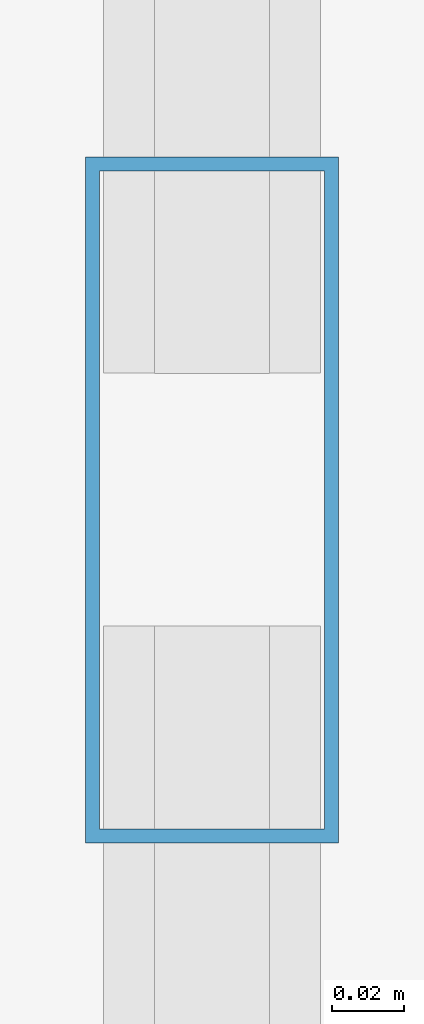
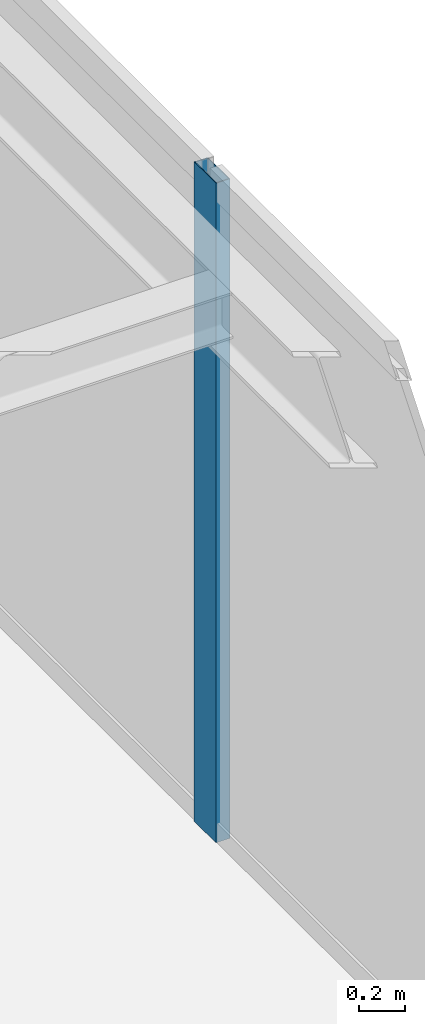
# One storey, part 20 of 31: 1 member, 1 element without a shape of its own.
"""IFC4 building model written with IfcOpenShell, lengths in metres."""

from ifc_helpers import new_model, si_unit, direction, frame, origin, origin_2d, place, context, subcontext, project, spatial, hollow_rectangle, extrude, source, transform, mapped, material, layer, layer_set, material_profile, profile_set, type_object, type_shapes, element, aggregate, save


model = new_model("IFC4")

# Units and contexts
model_context = context("Model", 3, precision=1e-05, world=origin(), true_north=direction((0.0, 1.0)))
body_context = subcontext(model_context, "Body", "Model", "MODEL_VIEW")
ifc_project = project(units=[si_unit("LENGTHUNIT", "METRE"), si_unit("AREAUNIT", "SQUARE_METRE"), si_unit("VOLUMEUNIT", "CUBIC_METRE"), si_unit("PLANEANGLEUNIT", "RADIAN"), si_unit("MASSUNIT", "GRAM", prefix="KILO")], contexts=[model_context])

# Site, building, storey
site_placement = place(None, origin())
site = spatial("IfcSite", under=ifc_project, at=site_placement, CompositionType="ELEMENT")
building_placement = place(site_placement, origin())
building = spatial("IfcBuilding", under=site, at=building_placement, Name="Varnel Quay Broadcast Tower", CompositionType="ELEMENT")
storey_placement = place(building_placement, frame((0.0, 0.0, 94.60009765625)))
storey = spatial("IfcBuildingStorey", under=building, at=storey_placement, Name="L22", CompositionType="ELEMENT", Elevation=94.60009765625)

# Curtain wall, member
ifc_material = material(Name="Anodised Bronze Aluminium 6063-T6", Category="aluminium")
ifc_layer = layer(ifc_material, 0.18994140625, Name="Anodised Bronze Aluminium 6063-T6")
ifc_layer_set = layer_set([ifc_layer], Name="Anodised Bronze Aluminium 6063-T6")
curtain_wall_type = type_object("IfcCurtainWallType", Name="CW_LowerTower", PredefinedType="NOTDEFINED", material=ifc_layer_set)
curtain_wall_placement = place(storey_placement, origin())
curtain_wall = element("IfcCurtainWall", 1, at=curtain_wall_placement, inside=storey, type_object=curtain_wall_type, Name="L22 East Unitised Curtain Wall", PredefinedType="NOTDEFINED")
ifc_material_profile = material_profile(ifc_material, hollow_rectangle(XDim=0.070068359375, YDim=0.18994140625, WallThickness=0.00390625, at=origin_2d()), Name="ALU70X190X4")
ifc_profile_set = profile_set([ifc_material_profile], Name="Anodised Bronze Aluminium 6063-T6")
member_type = type_object("IfcMemberType", Name="Mull_CWS-02", PredefinedType="MULLION", material=ifc_profile_set)
shared_shape = source(origin(), body_context, "Body", "SweptSolid", [
    extrude(hollow_rectangle(XDim=0.070068359375, YDim=0.18994140625, WallThickness=0.00390625, at=origin_2d()), origin(), (0.0, 0.0, 1.0), 3.52001953125),
])
type_shapes(member_type, [shared_shape])
member_placement = place(storey_placement, frame((63.35009765625, 31.39990234375, 0.0), z_axis=(0.0, 0.0, 1.0), x_axis=(-1.0, 0.0, 0.0)))
member = element("IfcMember", 2, at=member_placement, type_object=member_type, Name="CWS-02 mullion 3", PredefinedType="MULLION", context=body_context, shape_type="MappedRepresentation", body=[
    mapped(shared_shape, transform((0.0, 0.0, 0.0), x_axis=(1.0, 0.0, 0.0), y_axis=(0.0, 1.0, 0.0), z_axis=(0.0, 0.0, 1.0), scale=1.0)),
])
aggregate(curtain_wall, [member])

save(model, "model.ifc")
